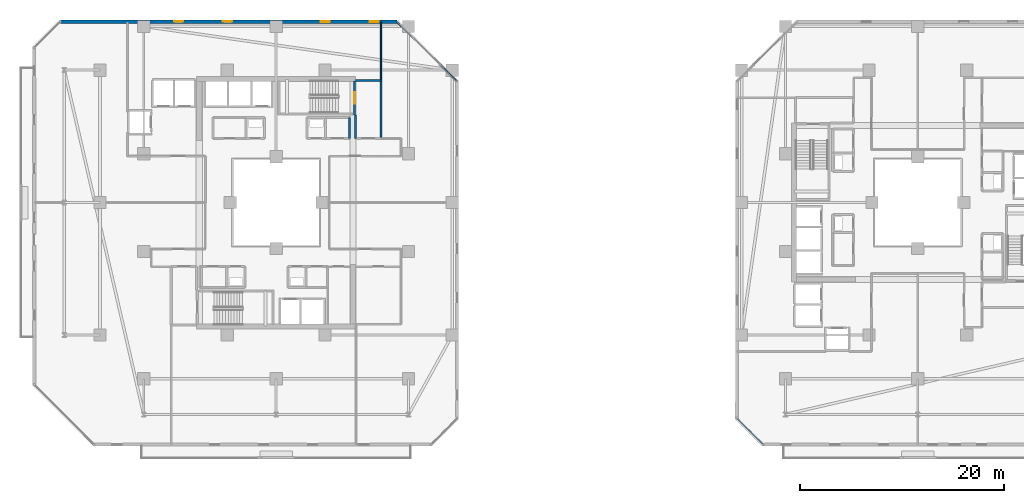
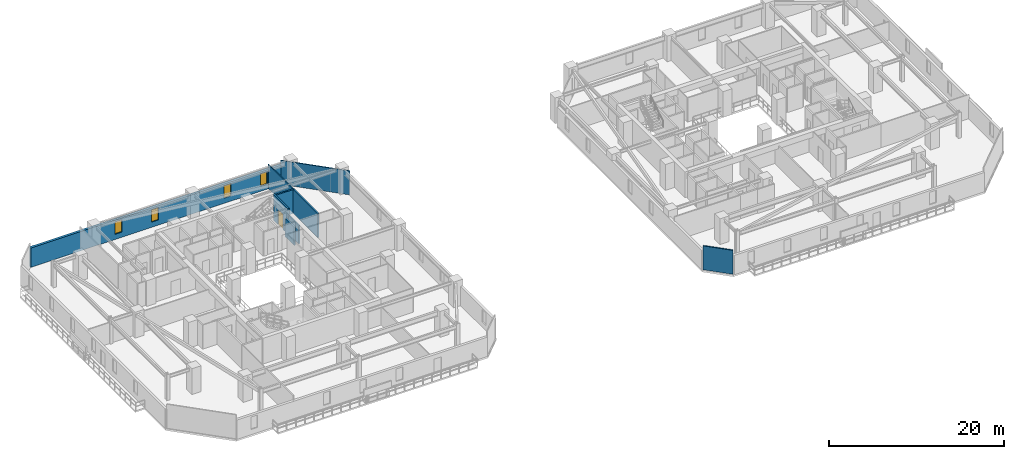
# One storey, part 21 of 32: 9 walls, 4 windows, 1 door, 5 openings.
"""IFC4 building model written with IfcOpenShell, lengths in metres."""

from ifc_helpers import new_model, si_unit, direction, frame, frame_2d, origin, place, context, subcontext, project, spatial, rectangle, extrude, material, layer, layer_set, type_object, element, fill, save


model = new_model("IFC4")

# Units and contexts
model_context = context("Model", 3, precision=1e-05, world=origin(), true_north=direction((0.0, 1.0)))
body_context = subcontext(model_context, "Body", "Model", "MODEL_VIEW")
ifc_project = project(units=[si_unit("LENGTHUNIT", "METRE"), si_unit("AREAUNIT", "SQUARE_METRE"), si_unit("VOLUMEUNIT", "CUBIC_METRE"), si_unit("PLANEANGLEUNIT", "RADIAN"), si_unit("MASSUNIT", "GRAM", prefix="KILO")], contexts=[model_context])

# Site, building, storey
site_placement = place(None, origin())
site = spatial("IfcSite", under=ifc_project, at=site_placement, CompositionType="ELEMENT")
building_placement = place(site_placement, origin())
building = spatial("IfcBuilding", under=site, at=building_placement, Name="Thornwick Lancets Civic Towers", CompositionType="ELEMENT")
storey_placement = place(building_placement, frame((0.0, 0.0, 123.300048828125)))
storey = spatial("IfcBuildingStorey", under=building, at=storey_placement, Name="L32", CompositionType="ELEMENT", Elevation=123.300048828125)

# Walls
ifc_material_1 = material(Name="Concrete blockwork C40/50", Category="masonry")
ifc_layer_1 = layer(ifc_material_1, 0.199951171875, Name="Concrete blockwork C40/50")
ifc_layer_set_1 = layer_set([ifc_layer_1], Name="Concrete blockwork C40/50")
wall_type_1 = type_object("IfcWallType", Name="WALL_COMP_200", PredefinedType="STANDARD", material=ifc_layer_set_1)
wall_1_placement = place(storey_placement, frame((35.800048828125, 33.300048828125, 0.0), z_axis=(0.0, 0.0, 1.0), x_axis=(0.0, 1.0, 0.0)))
element("IfcWall", 1, at=wall_1_placement, inside=storey, type_object=wall_type_1, Name="L32 Partition L32-A-FFLOB2 E2", PredefinedType="STANDARD", context=body_context, shape_type="SweptSolid", body=[
    extrude(rectangle(XDim=5.699951171875, YDim=0.199951171875, at=frame_2d((2.85009765625, 0.0))), origin(), (0.0, 0.0, 1.0), 3.33984375),
])
wall_2_placement = place(storey_placement, frame((35.800048828125, 39.0, 0.0), z_axis=(0.0, 0.0, 1.0), x_axis=(-1.0, 0.0, 0.0)))
element("IfcWall", 2, at=wall_2_placement, inside=storey, type_object=wall_type_1, Name="L32 Partition L32-A-FFLOB2 E3", PredefinedType="STANDARD", context=body_context, shape_type="SweptSolid", body=[
    extrude(rectangle(XDim=2.5, YDim=0.199951171875, at=frame_2d((1.25, 0.0))), origin(), (0.0, 0.0, 1.0), 3.33984375),
])
wall_3_placement = place(storey_placement, frame((33.300048828125, 35.60009765625, 0.0), z_axis=(0.0, 0.0, 1.0), x_axis=(0.0, -1.0, 0.0)))
element("IfcWall", 3, at=wall_3_placement, inside=storey, type_object=wall_type_1, Name="L32 Partition L32-A-FFLOB2 E4", PredefinedType="STANDARD", context=body_context, shape_type="SweptSolid", body=[
    extrude(rectangle(XDim=2.300048828125, YDim=0.199951171875, at=frame_2d((1.14990234375, 0.0))), origin(), (0.0, 0.0, 1.0), 2.544921875),
])
wall_4_placement = place(storey_placement, frame((32.699951171875, 35.35009765625, 0.0), z_axis=(0.0, 0.0, 1.0), x_axis=(0.0, -1.0, 0.0)))
element("IfcWall", 4, at=wall_4_placement, inside=storey, type_object=wall_type_1, Name="L32 Partition L32-A-STR E1", PredefinedType="STANDARD", context=body_context, shape_type="SweptSolid", body=[
    extrude(rectangle(XDim=2.050048828125, YDim=0.199951171875, at=frame_2d((1.02490234375, 0.0))), origin(), (0.0, 0.0, 1.0), 2.544921875),
])

# Wall, openings, windows
ifc_material_2 = material(Name="Insulated buff terracotta rainscreen on concrete C40/50", Category="masonry")
ifc_layer_2 = layer(ifc_material_2, 0.320068359375, Name="Insulated buff terracotta rainscreen on concrete C40/50")
ifc_layer_set_2 = layer_set([ifc_layer_2], Name="Insulated buff terracotta rainscreen on concrete C40/50")
wall_type_2 = type_object("IfcWallType", Name="WALL_EXT_TERRA_320", PredefinedType="STANDARD", material=ifc_layer_set_2)
wall_5_placement = place(storey_placement, frame((37.372314453125, 44.753662109375, 0.0), z_axis=(0.0, 0.0, 1.0), x_axis=(-0.999999944762, 0.000332378036, 0.0)))
wall_5 = element("IfcWall", 5, at=wall_5_placement, inside=storey, type_object=wall_type_2, Name="L32 Tower A Terracotta Facade Wall E4", PredefinedType="STANDARD", context=body_context, shape_type="SweptSolid", body=[
    extrude(rectangle(XDim=33.0537109375, YDim=0.320068359375, at=frame_2d((16.52685546875, 0.0))), origin(), (0.0, 0.0, 1.0), 2.699951171875),
])
opening_1_placement = place(wall_5_placement, frame((1.800048828125, 0.0, 0.719970703125)))
opening_1 = element("IfcOpeningElement", 6, at=opening_1_placement, cuts=wall_5, Name="Opening WL-01", PredefinedType="OPENING", context=body_context, shape_type="SweptSolid", body=[
    extrude(rectangle(XDim=0.89990234375, YDim=1.75, at=frame_2d((0.449951171875, 0.875))), frame((0.0, 0.169921875, 0.0), z_axis=(0.0, -1.0, 0.0), x_axis=(1.0, 0.0, 0.0)), (0.0, 0.0, 1.0), 0.340087890625),
])
opening_2_placement = place(wall_5_placement, frame((6.60009765625, 0.0, 0.719970703125)))
opening_2 = element("IfcOpeningElement", 7, at=opening_2_placement, cuts=wall_5, Name="Opening WL-01", PredefinedType="OPENING", context=body_context, shape_type="SweptSolid", body=[
    extrude(rectangle(XDim=0.89990234375, YDim=1.75, at=frame_2d((0.449951171875, 0.875))), frame((0.0, 0.169921875, 0.0), z_axis=(0.0, -1.0, 0.0), x_axis=(1.0, 0.0, 0.0)), (0.0, 0.0, 1.0), 0.340087890625),
])
opening_3_placement = place(wall_5_placement, frame((16.199951171875, 0.0, 0.719970703125)))
opening_3 = element("IfcOpeningElement", 8, at=opening_3_placement, cuts=wall_5, Name="Opening WL-01", PredefinedType="OPENING", context=body_context, shape_type="SweptSolid", body=[
    extrude(rectangle(XDim=0.89990234375, YDim=1.75, at=frame_2d((0.449951171875, 0.875))), frame((0.0, 0.169921875, 0.0), z_axis=(0.0, -1.0, 0.0), x_axis=(1.0, 0.0, 0.0)), (0.0, 0.0, 1.0), 0.340087890625),
])
opening_4_placement = place(wall_5_placement, frame((21.0, 0.0, 0.719970703125)))
opening_4 = element("IfcOpeningElement", 9, at=opening_4_placement, cuts=wall_5, Name="Opening WL-01", PredefinedType="OPENING", context=body_context, shape_type="SweptSolid", body=[
    extrude(rectangle(XDim=0.89990234375, YDim=1.75, at=frame_2d((0.449951171875, 0.875))), frame((0.0, 0.169921875, 0.0), z_axis=(0.0, -1.0, 0.0), x_axis=(1.0, 0.0, 0.0)), (0.0, 0.0, 1.0), 0.340087890625),
])
ifc_material_3 = material(Name="Clear low-e double glazing in bronze frame", Category="glass")
window_type = type_object("IfcWindowType", Name="WIN_LANCET_900", PartitioningType="SINGLE_PANEL", PredefinedType="WINDOW", material=ifc_material_3)
window_1_placement = place(opening_1_placement, origin())
window_1 = element("IfcWindow", 10, at=window_1_placement, inside=storey, type_object=window_type, Name="L32 Tower A Staggered Lancet Window E4-1", OverallHeight=1.75, OverallWidth=0.89990234375, PartitioningType="SINGLE_PANEL", PredefinedType="WINDOW", context=body_context, shape_type="SweptSolid", body=[
    extrude(rectangle(XDim=0.89990234375, YDim=1.75, at=frame_2d((0.449951171875, 0.875))), frame((0.0, 0.030029296875, 0.0), z_axis=(0.0, -1.0, 0.0), x_axis=(1.0, 0.0, 0.0)), (0.0, 0.0, 1.0), 0.06005859375),
])
fill(opening_1, window_1)
window_2_placement = place(opening_2_placement, origin())
window_2 = element("IfcWindow", 11, at=window_2_placement, inside=storey, type_object=window_type, Name="L32 Tower A Staggered Lancet Window E4-2", OverallHeight=1.75, OverallWidth=0.89990234375, PartitioningType="SINGLE_PANEL", PredefinedType="WINDOW", context=body_context, shape_type="SweptSolid", body=[
    extrude(rectangle(XDim=0.89990234375, YDim=1.75, at=frame_2d((0.449951171875, 0.875))), frame((0.0, 0.030029296875, 0.0), z_axis=(0.0, -1.0, 0.0), x_axis=(1.0, 0.0, 0.0)), (0.0, 0.0, 1.0), 0.06005859375),
])
fill(opening_2, window_2)
window_3_placement = place(opening_3_placement, origin())
window_3 = element("IfcWindow", 12, at=window_3_placement, inside=storey, type_object=window_type, Name="L32 Tower A Staggered Lancet Window E4-3", OverallHeight=1.75, OverallWidth=0.89990234375, PartitioningType="SINGLE_PANEL", PredefinedType="WINDOW", context=body_context, shape_type="SweptSolid", body=[
    extrude(rectangle(XDim=0.89990234375, YDim=1.75, at=frame_2d((0.449951171875, 0.875))), frame((0.0, 0.030029296875, 0.0), z_axis=(0.0, -1.0, 0.0), x_axis=(1.0, 0.0, 0.0)), (0.0, 0.0, 1.0), 0.06005859375),
])
fill(opening_3, window_3)
window_4_placement = place(opening_4_placement, origin())
window_4 = element("IfcWindow", 13, at=window_4_placement, inside=storey, type_object=window_type, Name="L32 Tower A Staggered Lancet Window E4-4", OverallHeight=1.75, OverallWidth=0.89990234375, PartitioningType="SINGLE_PANEL", PredefinedType="WINDOW", context=body_context, shape_type="SweptSolid", body=[
    extrude(rectangle(XDim=0.89990234375, YDim=1.75, at=frame_2d((0.449951171875, 0.875))), frame((0.0, 0.030029296875, 0.0), z_axis=(0.0, -1.0, 0.0), x_axis=(1.0, 0.0, 0.0)), (0.0, 0.0, 1.0), 0.06005859375),
])
fill(opening_4, window_4)

# Walls
ifc_material_4 = material(Name="Acoustic gypsum board partition")
ifc_layer_3 = layer(ifc_material_4, 0.1201171875, Name="Acoustic gypsum board partition")
ifc_layer_set_3 = layer_set([ifc_layer_3], Name="Acoustic gypsum board partition")
wall_type_3 = type_object("IfcWallType", Name="WALL_PART_120", PredefinedType="PARTITIONING", material=ifc_layer_set_3)
wall_6_placement = place(storey_placement, frame((35.800048828125, 39.0, 0.0), z_axis=(0.0, 0.0, 1.0), x_axis=(0.0, 1.0, 0.0)))
element("IfcWall", 14, at=wall_6_placement, inside=storey, type_object=wall_type_3, Name="L32 Partition L32-A-E3 E6", PredefinedType="PARTITIONING", context=body_context, shape_type="SweptSolid", body=[
    extrude(rectangle(XDim=5.719970703125, YDim=0.1201171875, at=frame_2d((2.85986328125, 0.0))), origin(), (0.0, 0.0, 1.0), 3.33984375),
])
wall_7_placement = place(storey_placement, frame((37.40234375, 44.719970703125, 0.0), z_axis=(0.0, 0.0, 1.0), x_axis=(0.707106781187, -0.707106781187, 0.0)))
element("IfcWall", 15, at=wall_7_placement, inside=storey, type_object=wall_type_3, Name="L32 Partition L32-A-E3 E8", PredefinedType="PARTITIONING", context=body_context, shape_type="SweptSolid", body=[
    extrude(rectangle(XDim=8.227294921875, YDim=0.1201171875, at=frame_2d((4.11376953125, 0.0))), origin(), (0.0, 0.0, 1.0), 3.33984375),
])
ifc_material_5 = material(Name="Twin-stud acoustic gypsum board")
ifc_layer_4 = layer(ifc_material_5, 0.14990234375, Name="Twin-stud acoustic gypsum board")
ifc_layer_set_4 = layer_set([ifc_layer_4], Name="Twin-stud acoustic gypsum board")
wall_type_4 = type_object("IfcWallType", Name="WALL_PART_150", PredefinedType="PARTITIONING", material=ifc_layer_set_4)
wall_8_placement = place(storey_placement, frame((73.274658203125, 3.280029296875, 0.0), z_axis=(0.0, 0.0, 1.0), x_axis=(-0.707106781187, 0.707106781187, 0.0)))
element("IfcWall", 16, at=wall_8_placement, inside=storey, type_object=wall_type_4, Name="L32 Partition L32-B-W2 E5", PredefinedType="PARTITIONING", context=body_context, shape_type="SweptSolid", body=[
    extrude(rectangle(XDim=3.52783203125, YDim=0.14990234375, at=frame_2d((1.763916015625, 0.0))), origin(), (0.0, 0.0, 1.0), 3.33984375),
])

# Wall, opening, door
ifc_material_6 = material(Name="Concrete C40/50", Category="concrete")
ifc_layer_5 = layer(ifc_material_6, 0.199951171875, Name="Concrete C40/50")
ifc_layer_set_5 = layer_set([ifc_layer_5], Name="Concrete C40/50")
wall_type_5 = type_object("IfcWallType", Name="WALL_SHAFT_200", PredefinedType="SHEAR", material=ifc_layer_set_5)
wall_9_placement = place(storey_placement, frame((33.199951171875, 38.949951171875, 0.0), z_axis=(0.0, 0.0, 1.0), x_axis=(0.0, -1.0, 0.0)))
wall_9 = element("IfcWall", 17, at=wall_9_placement, inside=storey, type_object=wall_type_5, Name="L32 ST-A2 Fire Stair Core Wall NEAR", PredefinedType="SHEAR", context=body_context, shape_type="SweptSolid", body=[
    extrude(rectangle(XDim=3.349853515625, YDim=0.199951171875, at=frame_2d((1.6748046875, 0.0))), origin(), (0.0, 0.0, 1.0), 3.599853515625),
])
opening_5_placement = place(wall_9_placement, frame((1.125, 0.0, 0.0)))
opening_5 = element("IfcOpeningElement", 18, at=opening_5_placement, cuts=wall_9, Name="Opening D-ST-A2-L32", PredefinedType="OPENING", context=body_context, shape_type="SweptSolid", body=[
    extrude(rectangle(XDim=1.10009765625, YDim=2.10009765625, at=frame_2d((0.550048828125, 1.050048828125))), frame((0.0, 0.10986328125, 0.0), z_axis=(0.0, -1.0, 0.0), x_axis=(1.0, 0.0, 0.0)), (0.0, 0.0, 1.0), 0.219970703125),
])
ifc_material_7 = material(Name="Fire-resisting steel and hardwood", Category="steel")
door_type = type_object("IfcDoorType", Name="DOOR_STAIR_FD60", OperationType="NOTDEFINED", PredefinedType="DOOR", material=ifc_material_7)
door_placement = place(opening_5_placement, origin())
door = element("IfcDoor", 19, at=door_placement, inside=storey, type_object=door_type, Name="L32 ST-A2 Exit Stair Door", OperationType="SINGLE_SWING_LEFT", OverallHeight=2.10009765625, OverallWidth=1.10009765625, PredefinedType="DOOR", context=body_context, shape_type="SweptSolid", body=[
    extrude(rectangle(XDim=1.10009765625, YDim=2.10009765625, at=frame_2d((0.550048828125, 1.050048828125))), frame((0.0, 0.02490234375, 0.0), z_axis=(0.0, -1.0, 0.0), x_axis=(1.0, 0.0, 0.0)), (0.0, 0.0, 1.0), 0.050048828125),
])
fill(opening_5, door)

save(model, "model.ifc")
